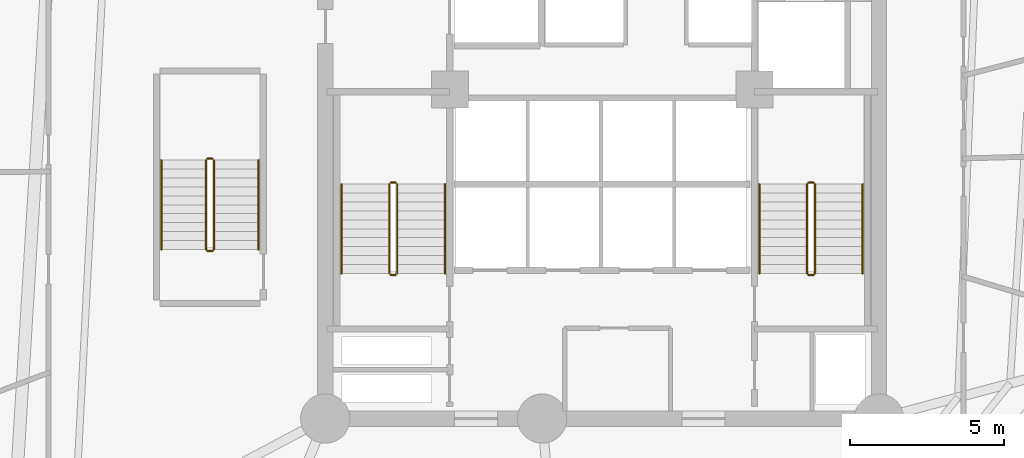
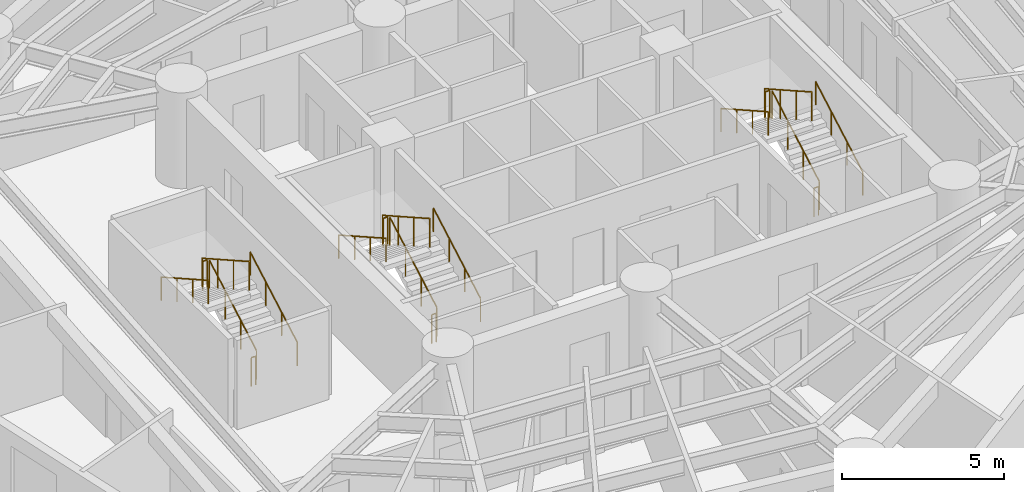
# One storey, part 7 of 7: 18 railings.
"""IFC4 building model written with IfcOpenShell, lengths in metres."""

from ifc_helpers import new_model, si_unit, direction, frame, origin, origin_2d, place, context, subcontext, project, spatial, circle, extrude, material, layer, layer_set, type_object, element, save


model = new_model("IFC4")

# Units and contexts
model_context = context("Model", 3, precision=1e-05, world=origin(), true_north=direction((0.0, 1.0)))
body_context = subcontext(model_context, "Body", "Model", "MODEL_VIEW")
ifc_project = project(units=[si_unit("LENGTHUNIT", "METRE"), si_unit("AREAUNIT", "SQUARE_METRE"), si_unit("VOLUMEUNIT", "CUBIC_METRE"), si_unit("PLANEANGLEUNIT", "RADIAN"), si_unit("MASSUNIT", "GRAM", prefix="KILO")], contexts=[model_context])

# Site, building, storey
site_placement = place(None, origin())
site = spatial("IfcSite", under=ifc_project, at=site_placement, CompositionType="ELEMENT")
building_placement = place(site_placement, origin())
building = spatial("IfcBuilding", under=site, at=building_placement, Name="Karkom Vertical University and Central Library", CompositionType="ELEMENT")
storey_placement = place(building_placement, frame((0.0, 0.0, 80.5)))
storey = spatial("IfcBuildingStorey", under=building, at=storey_placement, Name="L21", CompositionType="ELEMENT", Elevation=80.5)

# Railings
ifc_material_1 = material(Name="Painted galvanised steel balustrade", Category="steel")
ifc_layer_1 = layer(ifc_material_1, 0.06005859375)
ifc_layer_set_1 = layer_set([ifc_layer_1], Name="Painted galvanised steel balustrade")
railing_type_1 = type_object("IfcRailingType", Name="INT-RL-GUARD1100", PredefinedType="GUARDRAIL", material=ifc_layer_set_1)
railing_1_placement = place(storey_placement, frame((21.840087890625, 23.02001953125, 0.16357421875)))
element("IfcRailing", 1, at=railing_1_placement, inside=storey, type_object=railing_type_1, Name="Level 21 ST-1 stair guard 1", PredefinedType="GUARDRAIL", context=body_context, shape_type="SweptSolid", body=[
    extrude(circle(Radius=0.02392578125, at=origin_2d()), frame((0.0, 0.0, 1.076171875), z_axis=(0.0, 0.870897200241, 0.491465224214), x_axis=(-1.0, 0.0, 0.0)), (0.0, 0.0, 1.0), 3.329833984375),
    extrude(circle(Radius=0.02099609375, at=origin_2d()), origin(), (0.0, 0.0, 1.0), 1.052001953125),
    extrude(circle(Radius=0.02099609375, at=origin_2d()), frame((0.0, 0.966552734375, 0.54541015625)), (0.0, 0.0, 1.0), 1.052001953125),
    extrude(circle(Radius=0.02099609375, at=origin_2d()), frame((0.0, 1.933349609375, 1.091064453125)), (0.0, 0.0, 1.0), 1.052001953125),
    extrude(circle(Radius=0.02099609375, at=origin_2d()), frame((0.0, 2.89990234375, 1.636474609375)), (0.0, 0.0, 1.0), 1.052001953125),
])
railing_2_placement = place(storey_placement, frame((21.7900390625, 25.969970703125, 1.800048828125)))
element("IfcRailing", 2, at=railing_2_placement, inside=storey, type_object=railing_type_1, Name="Level 21 ST-1 stair guard 2", PredefinedType="GUARDRAIL", context=body_context, shape_type="SweptSolid", body=[
    extrude(circle(Radius=0.02392578125, at=origin_2d()), frame((0.0, 0.0, 1.076171875), z_axis=(-1.0, 0.0, 0.0), x_axis=(0.0, -1.0, 0.0)), (0.0, 0.0, 1.0), 0.16015625),
    extrude(circle(Radius=0.02099609375, at=origin_2d()), origin(), (0.0, 0.0, 1.0), 1.052001953125),
    extrude(circle(Radius=0.02099609375, at=origin_2d()), frame((-0.16015625, 0.0, 0.0)), (0.0, 0.0, 1.0), 1.052001953125),
])
railing_3_placement = place(storey_placement, frame((21.580078125, 25.919921875, 1.963623046875)))
element("IfcRailing", 3, at=railing_3_placement, inside=storey, type_object=railing_type_1, Name="Level 21 ST-1 stair guard 3", PredefinedType="GUARDRAIL", context=body_context, shape_type="SweptSolid", body=[
    extrude(circle(Radius=0.02392578125, at=origin_2d()), frame((0.0, 0.0, 1.076171875), z_axis=(0.0, -0.870897200241, 0.491465224214), x_axis=(1.0, 0.0, 0.0)), (0.0, 0.0, 1.0), 3.329833984375),
    extrude(circle(Radius=0.02099609375, at=origin_2d()), origin(), (0.0, 0.0, 1.0), 1.052001953125),
    extrude(circle(Radius=0.02099609375, at=origin_2d()), frame((0.0, -0.966552734375, 0.54541015625)), (0.0, 0.0, 1.0), 1.052001953125),
    extrude(circle(Radius=0.02099609375, at=origin_2d()), frame((0.0, -1.933349609375, 1.091064453125)), (0.0, 0.0, 1.0), 1.052001953125),
    extrude(circle(Radius=0.02099609375, at=origin_2d()), frame((0.0, -2.89990234375, 1.636474609375)), (0.0, 0.0, 1.0), 1.052001953125),
])
railing_4_placement = place(storey_placement, frame((21.7900390625, 22.969970703125, 0.0)))
element("IfcRailing", 4, at=railing_4_placement, inside=storey, type_object=railing_type_1, Name="Level 21 ST-1 stair guard 4", PredefinedType="GUARDRAIL", context=body_context, shape_type="SweptSolid", body=[
    extrude(circle(Radius=0.02392578125, at=origin_2d()), frame((0.0, 0.0, 1.076171875), z_axis=(-1.0, 0.0, 0.0), x_axis=(0.0, -1.0, 0.0)), (0.0, 0.0, 1.0), 0.16015625),
    extrude(circle(Radius=0.02099609375, at=origin_2d()), origin(), (0.0, 0.0, 1.0), 1.052001953125),
    extrude(circle(Radius=0.02099609375, at=origin_2d()), frame((-0.16015625, 0.0, 0.0)), (0.0, 0.0, 1.0), 1.052001953125),
])
railing_5_placement = place(storey_placement, frame((35.419921875, 23.02001953125, 0.16357421875)))
element("IfcRailing", 5, at=railing_5_placement, inside=storey, type_object=railing_type_1, Name="Level 21 ST-2 stair guard 1", PredefinedType="GUARDRAIL", context=body_context, shape_type="SweptSolid", body=[
    extrude(circle(Radius=0.02392578125, at=origin_2d()), frame((0.0, 0.0, 1.076171875), z_axis=(0.0, 0.870897200241, 0.491465224214), x_axis=(-1.0, 0.0, 0.0)), (0.0, 0.0, 1.0), 3.329833984375),
    extrude(circle(Radius=0.02099609375, at=origin_2d()), origin(), (0.0, 0.0, 1.0), 1.052001953125),
    extrude(circle(Radius=0.02099609375, at=origin_2d()), frame((0.0, 0.966552734375, 0.54541015625)), (0.0, 0.0, 1.0), 1.052001953125),
    extrude(circle(Radius=0.02099609375, at=origin_2d()), frame((0.0, 1.933349609375, 1.091064453125)), (0.0, 0.0, 1.0), 1.052001953125),
    extrude(circle(Radius=0.02099609375, at=origin_2d()), frame((0.0, 2.89990234375, 1.636474609375)), (0.0, 0.0, 1.0), 1.052001953125),
])
railing_6_placement = place(storey_placement, frame((35.3701171875, 25.969970703125, 1.800048828125)))
element("IfcRailing", 6, at=railing_6_placement, inside=storey, type_object=railing_type_1, Name="Level 21 ST-2 stair guard 2", PredefinedType="GUARDRAIL", context=body_context, shape_type="SweptSolid", body=[
    extrude(circle(Radius=0.02392578125, at=origin_2d()), frame((0.0, 0.0, 1.076171875), z_axis=(-1.0, 0.0, 0.0), x_axis=(0.0, -1.0, 0.0)), (0.0, 0.0, 1.0), 0.16015625),
    extrude(circle(Radius=0.02099609375, at=origin_2d()), origin(), (0.0, 0.0, 1.0), 1.052001953125),
    extrude(circle(Radius=0.02099609375, at=origin_2d()), frame((-0.16015625, 0.0, 0.0)), (0.0, 0.0, 1.0), 1.052001953125),
])
railing_7_placement = place(storey_placement, frame((35.159912109375, 25.919921875, 1.963623046875)))
element("IfcRailing", 7, at=railing_7_placement, inside=storey, type_object=railing_type_1, Name="Level 21 ST-2 stair guard 3", PredefinedType="GUARDRAIL", context=body_context, shape_type="SweptSolid", body=[
    extrude(circle(Radius=0.02392578125, at=origin_2d()), frame((0.0, 0.0, 1.076171875), z_axis=(0.0, -0.870897200241, 0.491465224214), x_axis=(1.0, 0.0, 0.0)), (0.0, 0.0, 1.0), 3.329833984375),
    extrude(circle(Radius=0.02099609375, at=origin_2d()), origin(), (0.0, 0.0, 1.0), 1.052001953125),
    extrude(circle(Radius=0.02099609375, at=origin_2d()), frame((0.0, -0.966552734375, 0.54541015625)), (0.0, 0.0, 1.0), 1.052001953125),
    extrude(circle(Radius=0.02099609375, at=origin_2d()), frame((0.0, -1.933349609375, 1.091064453125)), (0.0, 0.0, 1.0), 1.052001953125),
    extrude(circle(Radius=0.02099609375, at=origin_2d()), frame((0.0, -2.89990234375, 1.636474609375)), (0.0, 0.0, 1.0), 1.052001953125),
])
railing_8_placement = place(storey_placement, frame((35.3701171875, 22.969970703125, 0.0)))
element("IfcRailing", 8, at=railing_8_placement, inside=storey, type_object=railing_type_1, Name="Level 21 ST-2 stair guard 4", PredefinedType="GUARDRAIL", context=body_context, shape_type="SweptSolid", body=[
    extrude(circle(Radius=0.02392578125, at=origin_2d()), frame((0.0, 0.0, 1.076171875), z_axis=(-1.0, 0.0, 0.0), x_axis=(0.0, -1.0, 0.0)), (0.0, 0.0, 1.0), 0.16015625),
    extrude(circle(Radius=0.02099609375, at=origin_2d()), origin(), (0.0, 0.0, 1.0), 1.052001953125),
    extrude(circle(Radius=0.02099609375, at=origin_2d()), frame((-0.16015625, 0.0, 0.0)), (0.0, 0.0, 1.0), 1.052001953125),
])
railing_9_placement = place(storey_placement, frame((15.8798828125, 23.800048828125, 0.16357421875)))
element("IfcRailing", 9, at=railing_9_placement, inside=storey, type_object=railing_type_1, Name="Level 21 ST-3 stair guard 1", PredefinedType="GUARDRAIL", context=body_context, shape_type="SweptSolid", body=[
    extrude(circle(Radius=0.02392578125, at=origin_2d()), frame((0.0, 0.0, 1.076171875), z_axis=(0.0, 0.870897200241, 0.491465224214), x_axis=(-1.0, 0.0, 0.0)), (0.0, 0.0, 1.0), 3.329833984375),
    extrude(circle(Radius=0.02099609375, at=origin_2d()), origin(), (0.0, 0.0, 1.0), 1.052001953125),
    extrude(circle(Radius=0.02099609375, at=origin_2d()), frame((0.0, 0.966552734375, 0.54541015625)), (0.0, 0.0, 1.0), 1.052001953125),
    extrude(circle(Radius=0.02099609375, at=origin_2d()), frame((0.0, 1.933349609375, 1.091064453125)), (0.0, 0.0, 1.0), 1.052001953125),
    extrude(circle(Radius=0.02099609375, at=origin_2d()), frame((0.0, 2.89990234375, 1.636474609375)), (0.0, 0.0, 1.0), 1.052001953125),
])
railing_10_placement = place(storey_placement, frame((15.830078125, 26.75, 1.800048828125)))
element("IfcRailing", 10, at=railing_10_placement, inside=storey, type_object=railing_type_1, Name="Level 21 ST-3 stair guard 2", PredefinedType="GUARDRAIL", context=body_context, shape_type="SweptSolid", body=[
    extrude(circle(Radius=0.02392578125, at=origin_2d()), frame((0.0, 0.0, 1.076171875), z_axis=(-1.0, 0.0, 0.0), x_axis=(0.0, -1.0, 0.0)), (0.0, 0.0, 1.0), 0.16015625),
    extrude(circle(Radius=0.02099609375, at=origin_2d()), origin(), (0.0, 0.0, 1.0), 1.052001953125),
    extrude(circle(Radius=0.02099609375, at=origin_2d()), frame((-0.16015625, 0.0, 0.0)), (0.0, 0.0, 1.0), 1.052001953125),
])
railing_11_placement = place(storey_placement, frame((15.6201171875, 26.699951171875, 1.963623046875)))
element("IfcRailing", 11, at=railing_11_placement, inside=storey, type_object=railing_type_1, Name="Level 21 ST-3 stair guard 3", PredefinedType="GUARDRAIL", context=body_context, shape_type="SweptSolid", body=[
    extrude(circle(Radius=0.02392578125, at=origin_2d()), frame((0.0, 0.0, 1.076171875), z_axis=(0.0, -0.870897200241, 0.491465224214), x_axis=(1.0, 0.0, 0.0)), (0.0, 0.0, 1.0), 3.329833984375),
    extrude(circle(Radius=0.02099609375, at=origin_2d()), origin(), (0.0, 0.0, 1.0), 1.052001953125),
    extrude(circle(Radius=0.02099609375, at=origin_2d()), frame((0.0, -0.966552734375, 0.54541015625)), (0.0, 0.0, 1.0), 1.052001953125),
    extrude(circle(Radius=0.02099609375, at=origin_2d()), frame((0.0, -1.933349609375, 1.091064453125)), (0.0, 0.0, 1.0), 1.052001953125),
    extrude(circle(Radius=0.02099609375, at=origin_2d()), frame((0.0, -2.89990234375, 1.636474609375)), (0.0, 0.0, 1.0), 1.052001953125),
])
railing_12_placement = place(storey_placement, frame((15.830078125, 23.75, 0.0)))
element("IfcRailing", 12, at=railing_12_placement, inside=storey, type_object=railing_type_1, Name="Level 21 ST-3 stair guard 4", PredefinedType="GUARDRAIL", context=body_context, shape_type="SweptSolid", body=[
    extrude(circle(Radius=0.02392578125, at=origin_2d()), frame((0.0, 0.0, 1.076171875), z_axis=(-1.0, 0.0, 0.0), x_axis=(0.0, -1.0, 0.0)), (0.0, 0.0, 1.0), 0.16015625),
    extrude(circle(Radius=0.02099609375, at=origin_2d()), origin(), (0.0, 0.0, 1.0), 1.052001953125),
    extrude(circle(Radius=0.02099609375, at=origin_2d()), frame((-0.16015625, 0.0, 0.0)), (0.0, 0.0, 1.0), 1.052001953125),
])
ifc_material_2 = material(Name="Brushed stainless-steel tubular handrail", Category="steel")
ifc_layer_2 = layer(ifc_material_2, 0.048095703125)
ifc_layer_set_2 = layer_set([ifc_layer_2], Name="Brushed stainless-steel tubular handrail")
railing_type_2 = type_object("IfcRailingType", Name="INT-RL-HAND920", PredefinedType="HANDRAIL", material=ifc_layer_set_2)
railing_13_placement = place(storey_placement, frame((23.389892578125, 23.02001953125, 0.16357421875)))
element("IfcRailing", 13, at=railing_13_placement, inside=storey, type_object=railing_type_2, Name="Level 21 ST-1 stair handrail 1", PredefinedType="HANDRAIL", context=body_context, shape_type="SweptSolid", body=[
    extrude(circle(Radius=0.02392578125, at=origin_2d()), frame((0.0, 0.0, 0.8759765625), z_axis=(0.0, 0.870897200241, 0.491465224214), x_axis=(-1.0, 0.0, 0.0)), (0.0, 0.0, 1.0), 3.329833984375),
    extrude(circle(Radius=0.02099609375, at=origin_2d()), origin(), (0.0, 0.0, 1.0), 0.851806640625),
    extrude(circle(Radius=0.02099609375, at=origin_2d()), frame((0.0, 0.966552734375, 0.54541015625)), (0.0, 0.0, 1.0), 0.851806640625),
    extrude(circle(Radius=0.02099609375, at=origin_2d()), frame((0.0, 1.933349609375, 1.091064453125)), (0.0, 0.0, 1.0), 0.851806640625),
    extrude(circle(Radius=0.02099609375, at=origin_2d()), frame((0.0, 2.89990234375, 1.636474609375)), (0.0, 0.0, 1.0), 0.851806640625),
])
railing_14_placement = place(storey_placement, frame((20.030029296875, 25.919921875, 1.963623046875)))
element("IfcRailing", 14, at=railing_14_placement, inside=storey, type_object=railing_type_2, Name="Level 21 ST-1 stair handrail 2", PredefinedType="HANDRAIL", context=body_context, shape_type="SweptSolid", body=[
    extrude(circle(Radius=0.02392578125, at=origin_2d()), frame((0.0, 0.0, 0.8759765625), z_axis=(0.0, -0.870897200241, 0.491465224214), x_axis=(1.0, 0.0, 0.0)), (0.0, 0.0, 1.0), 3.329833984375),
    extrude(circle(Radius=0.02099609375, at=origin_2d()), origin(), (0.0, 0.0, 1.0), 0.851806640625),
    extrude(circle(Radius=0.02099609375, at=origin_2d()), frame((0.0, -0.966552734375, 0.54541015625)), (0.0, 0.0, 1.0), 0.851806640625),
    extrude(circle(Radius=0.02099609375, at=origin_2d()), frame((0.0, -1.933349609375, 1.091064453125)), (0.0, 0.0, 1.0), 0.851806640625),
    extrude(circle(Radius=0.02099609375, at=origin_2d()), frame((0.0, -2.89990234375, 1.636474609375)), (0.0, 0.0, 1.0), 0.851806640625),
])
railing_15_placement = place(storey_placement, frame((36.969970703125, 23.02001953125, 0.16357421875)))
element("IfcRailing", 15, at=railing_15_placement, inside=storey, type_object=railing_type_2, Name="Level 21 ST-2 stair handrail 1", PredefinedType="HANDRAIL", context=body_context, shape_type="SweptSolid", body=[
    extrude(circle(Radius=0.02392578125, at=origin_2d()), frame((0.0, 0.0, 0.8759765625), z_axis=(0.0, 0.870897200241, 0.491465224214), x_axis=(-1.0, 0.0, 0.0)), (0.0, 0.0, 1.0), 3.329833984375),
    extrude(circle(Radius=0.02099609375, at=origin_2d()), origin(), (0.0, 0.0, 1.0), 0.851806640625),
    extrude(circle(Radius=0.02099609375, at=origin_2d()), frame((0.0, 0.966552734375, 0.54541015625)), (0.0, 0.0, 1.0), 0.851806640625),
    extrude(circle(Radius=0.02099609375, at=origin_2d()), frame((0.0, 1.933349609375, 1.091064453125)), (0.0, 0.0, 1.0), 0.851806640625),
    extrude(circle(Radius=0.02099609375, at=origin_2d()), frame((0.0, 2.89990234375, 1.636474609375)), (0.0, 0.0, 1.0), 0.851806640625),
])
railing_16_placement = place(storey_placement, frame((33.610107421875, 25.919921875, 1.963623046875)))
element("IfcRailing", 16, at=railing_16_placement, inside=storey, type_object=railing_type_2, Name="Level 21 ST-2 stair handrail 2", PredefinedType="HANDRAIL", context=body_context, shape_type="SweptSolid", body=[
    extrude(circle(Radius=0.02392578125, at=origin_2d()), frame((0.0, 0.0, 0.8759765625), z_axis=(0.0, -0.870897200241, 0.491465224214), x_axis=(1.0, 0.0, 0.0)), (0.0, 0.0, 1.0), 3.329833984375),
    extrude(circle(Radius=0.02099609375, at=origin_2d()), origin(), (0.0, 0.0, 1.0), 0.851806640625),
    extrude(circle(Radius=0.02099609375, at=origin_2d()), frame((0.0, -0.966552734375, 0.54541015625)), (0.0, 0.0, 1.0), 0.851806640625),
    extrude(circle(Radius=0.02099609375, at=origin_2d()), frame((0.0, -1.933349609375, 1.091064453125)), (0.0, 0.0, 1.0), 0.851806640625),
    extrude(circle(Radius=0.02099609375, at=origin_2d()), frame((0.0, -2.89990234375, 1.636474609375)), (0.0, 0.0, 1.0), 0.851806640625),
])
railing_17_placement = place(storey_placement, frame((17.330078125, 23.800048828125, 0.16357421875)))
element("IfcRailing", 17, at=railing_17_placement, inside=storey, type_object=railing_type_2, Name="Level 21 ST-3 stair handrail 1", PredefinedType="HANDRAIL", context=body_context, shape_type="SweptSolid", body=[
    extrude(circle(Radius=0.02392578125, at=origin_2d()), frame((0.0, 0.0, 0.8759765625), z_axis=(0.0, 0.870897200241, 0.491465224214), x_axis=(-1.0, 0.0, 0.0)), (0.0, 0.0, 1.0), 3.329833984375),
    extrude(circle(Radius=0.02099609375, at=origin_2d()), origin(), (0.0, 0.0, 1.0), 0.851806640625),
    extrude(circle(Radius=0.02099609375, at=origin_2d()), frame((0.0, 0.966552734375, 0.54541015625)), (0.0, 0.0, 1.0), 0.851806640625),
    extrude(circle(Radius=0.02099609375, at=origin_2d()), frame((0.0, 1.933349609375, 1.091064453125)), (0.0, 0.0, 1.0), 0.851806640625),
    extrude(circle(Radius=0.02099609375, at=origin_2d()), frame((0.0, 2.89990234375, 1.636474609375)), (0.0, 0.0, 1.0), 0.851806640625),
])
railing_18_placement = place(storey_placement, frame((14.169921875, 26.699951171875, 1.963623046875)))
element("IfcRailing", 18, at=railing_18_placement, inside=storey, type_object=railing_type_2, Name="Level 21 ST-3 stair handrail 2", PredefinedType="HANDRAIL", context=body_context, shape_type="SweptSolid", body=[
    extrude(circle(Radius=0.02392578125, at=origin_2d()), frame((0.0, 0.0, 0.8759765625), z_axis=(0.0, -0.870897200241, 0.491465224214), x_axis=(1.0, 0.0, 0.0)), (0.0, 0.0, 1.0), 3.329833984375),
    extrude(circle(Radius=0.02099609375, at=origin_2d()), origin(), (0.0, 0.0, 1.0), 0.851806640625),
    extrude(circle(Radius=0.02099609375, at=origin_2d()), frame((0.0, -0.966552734375, 0.54541015625)), (0.0, 0.0, 1.0), 0.851806640625),
    extrude(circle(Radius=0.02099609375, at=origin_2d()), frame((0.0, -1.933349609375, 1.091064453125)), (0.0, 0.0, 1.0), 0.851806640625),
    extrude(circle(Radius=0.02099609375, at=origin_2d()), frame((0.0, -2.89990234375, 1.636474609375)), (0.0, 0.0, 1.0), 0.851806640625),
])

save(model, "model.ifc")
